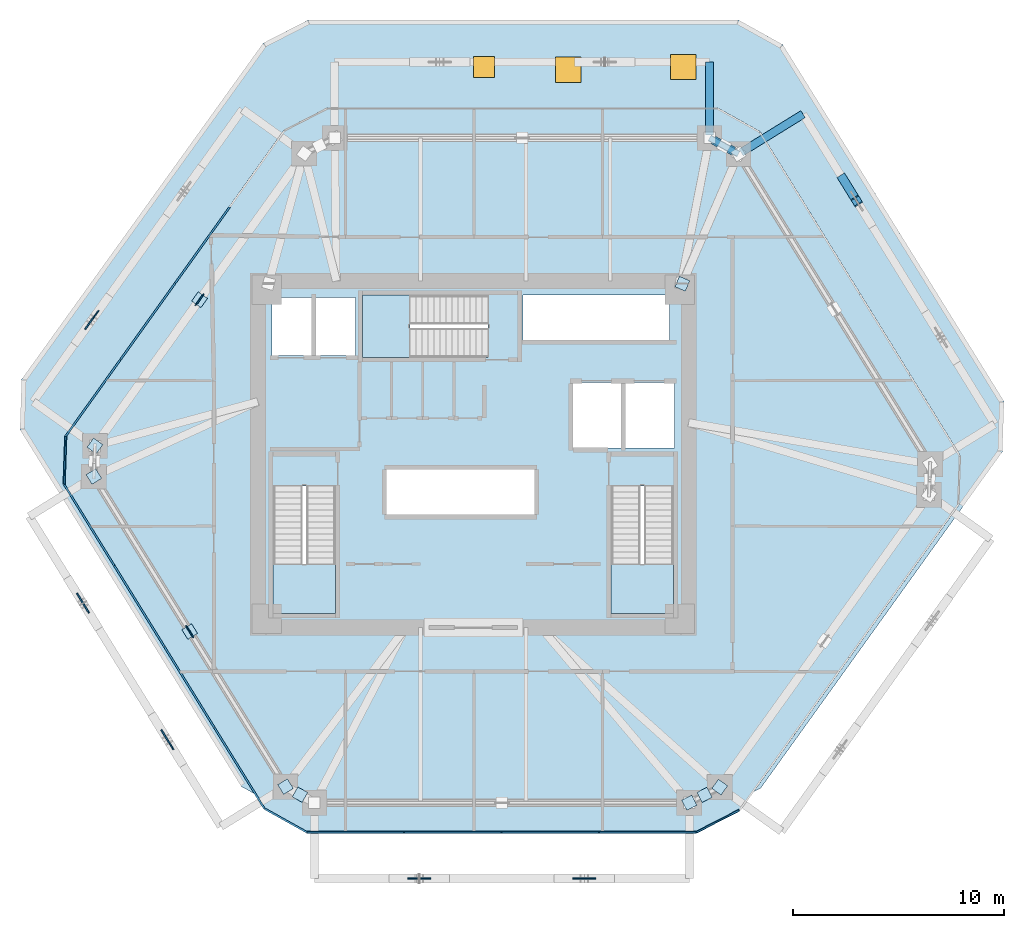
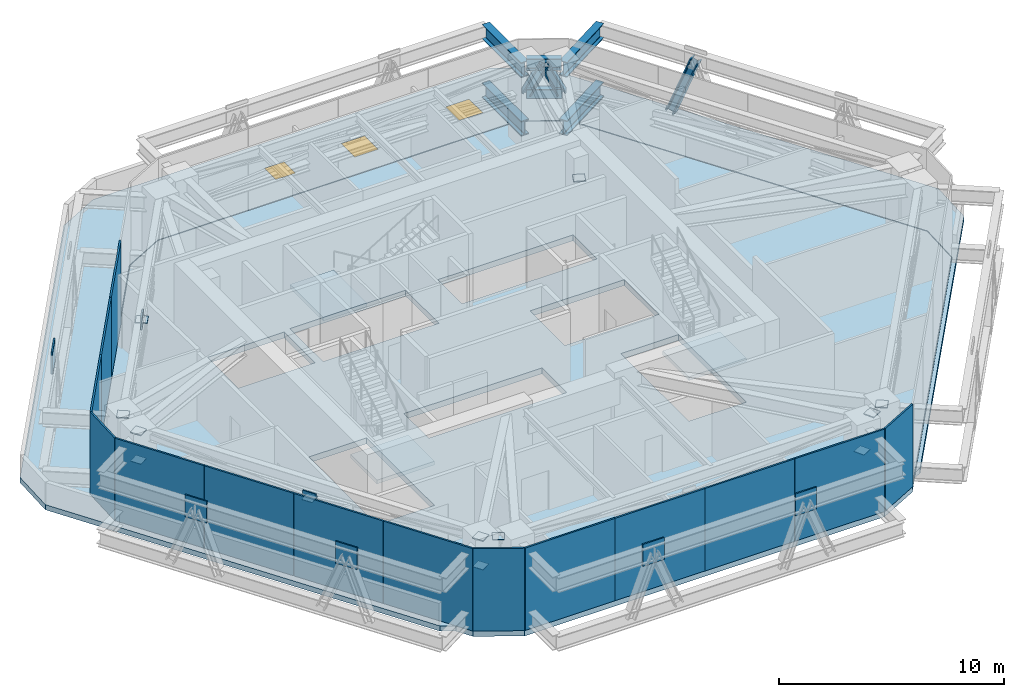
# One storey, part 4 of 11: 34 plates, 5 beams, 5 slabs, 4 members, 2 windows, 1 door, 3 openings, 3 elements without a shape of their own.
"""IFC4 building model written with IfcOpenShell, lengths in metres."""

from ifc_helpers import new_model, si_unit, direction, frame, origin, origin_2d, place, context, subcontext, project, spatial, polyline, rectangle, hollow_rectangle, i_section, outline, extrude, source, transform, mapped, material, layer, layer_set, material_profile, profile_set, type_object, type_shapes, element, fill, aggregate, save


model = new_model("IFC4")

# Units and contexts
model_context = context("Model", 3, precision=1e-05, world=origin(), true_north=direction((0.0, 1.0)))
body_context = subcontext(model_context, "Body", "Model", "MODEL_VIEW")
ifc_project = project(units=[si_unit("LENGTHUNIT", "METRE"), si_unit("AREAUNIT", "SQUARE_METRE"), si_unit("VOLUMEUNIT", "CUBIC_METRE"), si_unit("PLANEANGLEUNIT", "RADIAN"), si_unit("MASSUNIT", "GRAM", prefix="KILO")], contexts=[model_context])

# Site, building, storey
site_placement = place(None, origin())
site = spatial("IfcSite", under=ifc_project, at=site_placement, CompositionType="ELEMENT")
building_placement = place(site_placement, origin())
building = spatial("IfcBuilding", under=site, at=building_placement, Name="Durnholm Broadcast Tower", CompositionType="ELEMENT")
storey_placement = place(building_placement, frame((0.0, 0.0, 150.300048828125)))
storey = spatial("IfcBuildingStorey", under=building, at=storey_placement, Name="L41", CompositionType="ELEMENT", Elevation=150.300048828125)

# Beams
ifc_material_1 = material(Name="Steel ASTM A992 Grade 50", Category="steel")
ifc_material_profile_1 = material_profile(ifc_material_1, i_section(OverallWidth=0.385009765625, OverallDepth=0.802978515625, WebThickness=0.023681640625, FlangeThickness=0.0419921875, FilletRadius=0.032958984375, at=origin_2d()), Name="W30X261")
ifc_profile_set_1 = profile_set([ifc_material_profile_1], Name="Steel ASTM A992 Grade 50")
beam_type_1 = type_object("IfcBeamType", Name="BM-EXO-TIE", PredefinedType="USERDEFINED", material=ifc_profile_set_1)
shared_shape_1 = source(origin(), body_context, "Body", "SweptSolid", [
    extrude(i_section(OverallWidth=0.385009765625, OverallDepth=0.802978515625, WebThickness=0.023681640625, FlangeThickness=0.0419921875, FilletRadius=0.032958984375, at=origin_2d()), origin(), (0.0, 0.0, 1.0), 3.4560546875),
])
for number, where, z_axis, x_axis, name in (
    (1, (12.713134765625, 14.327880859375, 0.550048828125), (0.850662348375, 0.525712439512, 0.0), (-0.525712439512, 0.850662348375, 0.0), "L41 zone-base exoskeleton stand-off tie bracket F3.2"),
    (2, (12.713134765625, 14.327880859375, 3.728515625), (0.850662348375, 0.525712439512, 0.0), (-0.525712439512, 0.850662348375, 0.0), "L41 exoskeleton stand-off tie bracket F3.2"),
):
    element("IfcBeam", number, at=place(storey_placement, frame(where, z_axis=z_axis, x_axis=x_axis)), inside=storey, type_object=beam_type_1, Name=name, ObjectType="GIRDER", PredefinedType="USERDEFINED", context=body_context, shape_type="MappedRepresentation", body=[
        mapped(shared_shape_1, transform((0.0, 0.0, 0.0), x_axis=(1.0, 0.0, 0.0), y_axis=(0.0, 1.0, 0.0), z_axis=(0.0, 0.0, 1.0), scale=1.0)),
    ])
shared_shape_2 = source(origin(), body_context, "Body", "SweptSolid", [
    extrude(i_section(OverallWidth=0.385009765625, OverallDepth=0.802978515625, WebThickness=0.023681640625, FlangeThickness=0.0419921875, FilletRadius=0.032958984375, at=origin_2d()), origin(), (0.0, 0.0, 1.0), 3.455810546875),
])
type_shapes(beam_type_1, [shared_shape_1, shared_shape_2])
for number, where, z_axis, x_axis, name in (
    (3, (11.217529296875, 15.162109375, 0.550048828125), (0.0, 1.0, 0.0), (-1.0, 0.0, 0.0), "L41 zone-base exoskeleton stand-off tie bracket F4.1"),
    (4, (11.217529296875, 15.162109375, 3.728515625), (0.0, 1.0, 0.0), (-1.0, 0.0, 0.0), "L41 exoskeleton stand-off tie bracket F4.1"),
):
    element("IfcBeam", number, at=place(storey_placement, frame(where, z_axis=z_axis, x_axis=x_axis)), inside=storey, type_object=beam_type_1, Name=name, ObjectType="GIRDER", PredefinedType="USERDEFINED", context=body_context, shape_type="MappedRepresentation", body=[
        mapped(shared_shape_2, transform((0.0, 0.0, 0.0), x_axis=(1.0, 0.0, 0.0), y_axis=(0.0, 1.0, 0.0), z_axis=(0.0, 0.0, 1.0), scale=1.0)),
    ])
ifc_material_profile_2 = material_profile(ifc_material_1, i_section(OverallWidth=0.3251953125, OverallDepth=0.6162109375, WebThickness=0.013916015625, FlangeThickness=0.021484375, FilletRadius=0.02783203125, at=origin_2d()), Name="W24X117")
ifc_profile_set_2 = profile_set([ifc_material_profile_2], Name="Steel ASTM A992 Grade 50")
beam_type_2 = type_object("IfcBeamType", Name="STL-SP-W24X117", PredefinedType="SPANDREL", material=ifc_profile_set_2)
shared_shape_3 = source(origin(), body_context, "Body", "SweptSolid", [
    extrude(i_section(OverallWidth=0.3251953125, OverallDepth=0.6162109375, WebThickness=0.013916015625, FlangeThickness=0.021484375, FilletRadius=0.02783203125, at=origin_2d()), origin(), (0.0, 0.0, 1.0), 1.572509765625),
])
type_shapes(beam_type_2, [shared_shape_3])
beam_placement = place(storey_placement, frame((11.217529296875, 15.01806640625, 4.15673828125), z_axis=(0.873365144476, -0.487066037017, 0.0), x_axis=(0.487066037017, 0.873365144476, 0.0)))
element("IfcBeam", 5, at=beam_placement, inside=storey, type_object=beam_type_2, Name="L41 perimeter spandrel girder 06", PredefinedType="SPANDREL", context=body_context, shape_type="MappedRepresentation", body=[
    mapped(shared_shape_3, transform((0.0, 0.0, 0.0), x_axis=(1.0, 0.0, 0.0), y_axis=(0.0, 1.0, 0.0), z_axis=(0.0, 0.0, 1.0), scale=1.0)),
])

# Members
ifc_material_2 = material(Name="Steel ASTM A500 Grade C", Category="steel")
ifc_material_profile_3 = material_profile(ifc_material_2, hollow_rectangle(XDim=0.3046875, YDim=0.508056640625, WallThickness=0.014892578125, InnerFilletRadius=0.022216796875, OuterFilletRadius=0.037109375, at=origin_2d()), Name="HSS20X12X5/8")
ifc_profile_set_3 = profile_set([ifc_material_profile_3], Name="Steel ASTM A500 Grade C")
member_type_1 = type_object("IfcMemberType", Name="STL-TC-HSS20X12", PredefinedType="CHORD", material=ifc_profile_set_3)
shared_shape_4 = source(origin(), body_context, "Body", "SweptSolid", [
    extrude(hollow_rectangle(XDim=0.3046875, YDim=0.508056640625, WallThickness=0.014892578125, InnerFilletRadius=0.022216796875, OuterFilletRadius=0.037109375, at=origin_2d()), origin(), (0.0, 0.0, 1.0), 1.572509765625),
])
type_shapes(member_type_1, [shared_shape_4])
member_1_placement = place(storey_placement, frame((11.217529296875, 15.01806640625, 2.550048828125), z_axis=(0.873365144476, -0.487066037017, 0.0), x_axis=(0.487066037017, 0.873365144476, 0.0)))
element("IfcMember", 6, at=member_1_placement, inside=storey, type_object=member_type_1, Name="L41 perimeter belt-truss bottom chord 06", PredefinedType="CHORD", context=body_context, shape_type="MappedRepresentation", body=[
    mapped(shared_shape_4, transform((0.0, 0.0, 0.0), x_axis=(1.0, 0.0, 0.0), y_axis=(0.0, 1.0, 0.0), z_axis=(0.0, 0.0, 1.0), scale=1.0)),
])
ifc_material_3 = material(Name="Steel ASTM A913 Grade 65", Category="steel")
ifc_material_profile_4 = material_profile(ifc_material_3, i_section(OverallWidth=0.412109375, OverallDepth=0.434814453125, WebThickness=0.035888671875, FlangeThickness=0.057373046875, FilletRadius=0.030517578125, at=origin_2d()), Name="W14X311")
ifc_profile_set_4 = profile_set([ifc_material_profile_4], Name="Steel ASTM A913 Grade 65")
member_type_2 = type_object("IfcMemberType", Name="STL-DG-W14X311", PredefinedType="BRACE", material=ifc_profile_set_4)
shared_shape_5 = source(origin(), body_context, "Body", "SweptSolid", [
    extrude(i_section(OverallWidth=0.412109375, OverallDepth=0.434814453125, WebThickness=0.035888671875, FlangeThickness=0.057373046875, FilletRadius=0.030517578125, at=origin_2d()), origin(), (0.0, 0.0, 1.0), 1.7646484375),
])
for number, where, z_axis, x_axis, name in (
    (7, (11.217529296875, 15.01806640625, 2.550048828125), (0.389046476933, -0.217074652314, 0.895277294535), (0.487250515712, 0.873262237211, 0.0), "L41 belt-truss chevron brace 06.1"),
    (8, (12.5908203125, 14.252197265625, 2.550048828125), (-0.389175562294, 0.216931134617, 0.895255977108), (-0.486881558719, -0.873468000432, 0.0), "L41 belt-truss chevron brace 06.2"),
):
    element("IfcMember", number, at=place(storey_placement, frame(where, z_axis=z_axis, x_axis=x_axis)), inside=storey, type_object=member_type_2, Name=name, PredefinedType="BRACE", context=body_context, shape_type="MappedRepresentation", body=[
        mapped(shared_shape_5, transform((0.0, 0.0, 0.0), x_axis=(1.0, 0.0, 0.0), y_axis=(0.0, 1.0, 0.0), z_axis=(0.0, 0.0, 1.0), scale=1.0)),
    ])
shared_shape_6 = source(origin(), body_context, "Body", "SweptSolid", [
    extrude(i_section(OverallWidth=0.412109375, OverallDepth=0.434814453125, WebThickness=0.035888671875, FlangeThickness=0.057373046875, FilletRadius=0.030517578125, at=origin_2d()), origin(), (0.0, 0.0, 1.0), 3.40966796875),
])
type_shapes(member_type_2, [shared_shape_5, shared_shape_6])
member_2_placement = place(storey_placement, frame((17.551513671875, 13.072998046875, 0.550048828125), z_axis=(0.190250254234, -0.30789465307, 0.932204764724), x_axis=(0.850699125742, 0.525652924906, 0.0)))
element("IfcMember", 9, at=member_2_placement, inside=storey, type_object=member_type_2, Name="L41 stand-off diagrid brace F3.D2.2", PredefinedType="BRACE", context=body_context, shape_type="MappedRepresentation", body=[
    mapped(shared_shape_6, transform((0.0, 0.0, 0.0), x_axis=(1.0, 0.0, 0.0), y_axis=(0.0, 1.0, 0.0), z_axis=(0.0, 0.0, 1.0), scale=1.0)),
])

# Slab
ifc_material_4 = material(Name="Concrete C50/60", Category="concrete")
ifc_layer_1 = layer(ifc_material_4, 0.320068359375)
ifc_layer_set_1 = layer_set([ifc_layer_1], Name="Concrete C50/60")
slab_type_1 = type_object("IfcSlabType", Name="SLAB-FLR-320", PredefinedType="FLOOR", material=ifc_layer_set_1)
slab_1_placement = place(storey_placement, frame((0.0, 0.0, -0.320068359375)))
element("IfcSlab", 10, at=slab_1_placement, inside=storey, type_object=slab_type_1, Name="L41 structural floor slab", PredefinedType="FLOOR", context=body_context, shape_type="SweptSolid", body=[
    extrude(outline(polyline([(-9.912353515625, -16.822021484375), (-7.9033203125, -17.94189453125), (10.59521484375, -17.94189453125), (12.64111328125, -16.890625), (23.022705078125, -2.390380859375), (23.1005859375, -0.091552734375), (13.59033203125, 15.2978515625), (11.581298828125, 16.41796875), (-6.917236328125, 16.41796875), (-8.962890625, 15.36669921875), (-19.3447265625, 0.8662109375), (-19.422607421875, -1.432373046875), (-9.912353515625, -16.822021484375)]), holes=[polyline([(-6.5400390625, -1.5), (-9.5, -1.5), (-9.5, -7.550048828125), (-6.5400390625, -7.550048828125), (-6.5400390625, -1.5)]), polyline([(9.5, -7.550048828125), (9.5, -1.5), (6.5400390625, -1.5), (6.5400390625, -7.550048828125), (9.5, -7.550048828125)]), polyline([(2.949951171875, -0.699951171875), (-4.14990234375, -0.699951171875), (-4.14990234375, -2.89990234375), (2.949951171875, -2.89990234375), (2.949951171875, -0.699951171875)]), polyline([(9.550048828125, 3.39990234375), (4.699951171875, 3.39990234375), (4.699951171875, 0.300048828125), (9.550048828125, 0.300048828125), (9.550048828125, 3.39990234375)]), polyline([(-5.60009765625, 7.449951171875), (-9.550048828125, 7.449951171875), (-9.550048828125, 4.699951171875), (-5.60009765625, 4.699951171875), (-5.60009765625, 7.449951171875)]), polyline([(-5.25, 4.60009765625), (0.699951171875, 4.60009765625), (0.699951171875, 7.56005859375), (-5.25, 7.56005859375), (-5.25, 4.60009765625)]), polyline([(9.31005859375, 7.550048828125), (2.35009765625, 7.550048828125), (2.35009765625, 5.39990234375), (9.31005859375, 5.39990234375), (9.31005859375, 7.550048828125)])]), origin(), (0.0, 0.0, 1.0), 0.320068359375),
])

# Stair, slab
stair_type = type_object("IfcStairType", Name="STAIR-DL-28R1714", PredefinedType="HALF_TURN_STAIR", material=ifc_material_4)
stair_1_placement = place(storey_placement, origin())
stair_1 = element("IfcStair", 11, at=stair_1_placement, inside=storey, type_object=stair_type, Name="L41 ST-1", PredefinedType="HALF_TURN_STAIR")
ifc_layer_2 = layer(ifc_material_4, 0.199951171875)
ifc_layer_set_2 = layer_set([ifc_layer_2], Name="Concrete C50/60")
slab_type_2 = type_object("IfcSlabType", Name="SLAB-LND-200", PredefinedType="LANDING", material=ifc_layer_set_2)
slab_2_placement = place(storey_placement, frame((0.0, 0.0, 2.199951171875)))
slab_2 = element("IfcSlab", 12, at=slab_2_placement, type_object=slab_type_2, Name="ST-1 landing 1", PredefinedType="LANDING", context=body_context, shape_type="SweptSolid", body=[
    extrude(outline(polyline([(-9.5, -5.205078125), (-9.5, -7.550048828125), (-6.5400390625, -7.550048828125), (-6.5400390625, -5.205078125), (-9.5, -5.205078125)])), origin(), (0.0, 0.0, 1.0), 0.199951171875),
])
aggregate(stair_1, [slab_2])

stair_2_placement = place(storey_placement, origin())
stair_2 = element("IfcStair", 13, at=stair_2_placement, inside=storey, type_object=stair_type, Name="L41 ST-2", PredefinedType="HALF_TURN_STAIR")
slab_3_placement = place(storey_placement, frame((0.0, 0.0, 2.199951171875)))
slab_3 = element("IfcSlab", 14, at=slab_3_placement, type_object=slab_type_2, Name="ST-2 landing 1", PredefinedType="LANDING", context=body_context, shape_type="SweptSolid", body=[
    extrude(outline(polyline([(6.5400390625, -5.205078125), (6.5400390625, -7.550048828125), (9.5, -7.550048828125), (9.5, -5.205078125), (6.5400390625, -5.205078125)])), origin(), (0.0, 0.0, 1.0), 0.199951171875),
])
aggregate(stair_2, [slab_3])

stair_3_placement = place(storey_placement, origin())
stair_3 = element("IfcStair", 15, at=stair_3_placement, inside=storey, type_object=stair_type, Name="L41 ST-3", PredefinedType="HALF_TURN_STAIR")
slab_4_placement = place(storey_placement, frame((0.0, 0.0, 2.199951171875)))
slab_4 = element("IfcSlab", 16, at=slab_4_placement, type_object=slab_type_2, Name="ST-3 landing 1", PredefinedType="LANDING", context=body_context, shape_type="SweptSolid", body=[
    extrude(outline(polyline([(-3.0048828125, 7.56005859375), (-5.25, 7.56005859375), (-5.25, 4.60009765625), (-3.0048828125, 4.60009765625), (-3.0048828125, 7.56005859375)])), origin(), (0.0, 0.0, 1.0), 0.199951171875),
])
aggregate(stair_3, [slab_4])

# Slab, openings, door, windows
ifc_layer_3 = layer(ifc_material_4, 0.280029296875)
ifc_layer_set_3 = layer_set([ifc_layer_3], Name="Concrete C50/60")
slab_type_3 = type_object("IfcSlabType", Name="SLAB-ROOF-280", PredefinedType="ROOF", material=ifc_layer_set_3)
slab_5_placement = place(storey_placement, frame((0.0, 0.0, -0.280029296875)))
slab_5 = element("IfcSlab", 17, at=slab_5_placement, inside=storey, type_object=slab_type_3, Name="L41 setback roof slab 1", PredefinedType="ROOF", context=body_context, shape_type="SweptSolid", body=[
    extrude(outline(polyline([(-11.012451171875, -15.77001953125), (-10.380126953125, -16.121826171875), (-19.4482421875, -1.4482421875), (-19.44970703125, -1.445556640625), (-19.45068359375, -1.44287109375), (-19.45166015625, -1.440185546875), (-19.452392578125, -1.437255859375), (-19.45263671875, -1.434326171875), (-19.45263671875, -1.431396484375), (-19.374755859375, 0.8671875), (-19.37451171875, 0.8701171875), (-19.373779296875, 0.873046875), (-19.373046875, 0.8759765625), (-19.3720703125, 0.878662109375), (-19.37060546875, 0.88134765625), (-19.369140625, 0.8837890625), (-8.9873046875, 15.38427734375), (-8.985595703125, 15.386474609375), (-8.983642578125, 15.388427734375), (-8.9814453125, 15.390380859375), (-8.979248046875, 15.39208984375), (-8.976806640625, 15.393310546875), (-6.930908203125, 16.444580078125), (-6.928466796875, 16.44580078125), (-6.92578125, 16.44677734375), (-6.923095703125, 16.447509765625), (-6.920166015625, 16.447998046875), (-6.917236328125, 16.447998046875), (11.581298828125, 16.447998046875), (11.58447265625, 16.44775390625), (11.58740234375, 16.447509765625), (11.59033203125, 16.446533203125), (11.59326171875, 16.445556640625), (11.595947265625, 16.444091796875), (13.60498046875, 15.32421875), (13.607421875, 15.322509765625), (13.60986328125, 15.320556640625), (13.612060546875, 15.318603515625), (13.614013671875, 15.316162109375), (13.61572265625, 15.313720703125), (23.126220703125, -0.07568359375), (23.127685546875, -0.078369140625), (23.12890625, -0.0810546875), (23.129638671875, -0.083984375), (23.13037109375, -0.0869140625), (23.130615234375, -0.089599609375), (23.130615234375, -0.092529296875), (23.052734375, -2.391357421875), (23.052490234375, -2.394287109375), (23.052001953125, -2.397216796875), (23.051025390625, -2.39990234375), (23.050048828125, -2.402587890625), (23.048583984375, -2.4052734375), (23.047119140625, -2.40771484375), (13.30078125, -16.0205078125), (13.649658203125, -15.841796875), (25.11279296875, 0.114990234375), (25.1943359375, 2.513671875), (14.6904296875, 19.447998046875), (12.59326171875, 20.614990234375), (-7.836181640625, 20.614990234375), (-9.9716796875, 19.519775390625), (-21.434814453125, 3.56298828125), (-21.516357421875, 1.164306640625), (-11.012451171875, -15.77001953125)])), origin(), (0.0, 0.0, 1.0), 0.280029296875),
])
opening_1_placement = place(slab_5_placement, frame((9.966064453125, 18.385009765625, -0.010009765625)))
opening_1 = element("IfcOpeningElement", 18, at=opening_1_placement, cuts=slab_5, Name="Opening SK1", PredefinedType="OPENING", context=body_context, shape_type="SweptSolid", body=[
    extrude(rectangle(XDim=1.199951171875, YDim=1.199951171875, at=origin_2d()), origin(), (0.0, 0.0, 1.0), 0.300048828125),
])
opening_2_placement = place(slab_5_placement, frame((4.510986328125, 18.2509765625, -0.010009765625)))
opening_2 = element("IfcOpeningElement", 19, at=opening_2_placement, cuts=slab_5, Name="Opening SK2", PredefinedType="OPENING", context=body_context, shape_type="SweptSolid", body=[
    extrude(rectangle(XDim=1.199951171875, YDim=1.199951171875, at=origin_2d()), origin(), (0.0, 0.0, 1.0), 0.300048828125),
])
opening_3_placement = place(slab_5_placement, frame((0.5, 18.39111328125, -0.010009765625)))
opening_3 = element("IfcOpeningElement", 20, at=opening_3_placement, cuts=slab_5, Name="Opening DT-RF", PredefinedType="OPENING", context=body_context, shape_type="SweptSolid", body=[
    extrude(rectangle(XDim=1.0, YDim=1.0, at=origin_2d()), origin(), (0.0, 0.0, 1.0), 0.300048828125),
])
ifc_material_5 = material(Name="Anodised Aluminium and Laminated Safety Glass", Category="aluminium")
ifc_layer_4 = layer(ifc_material_5, 0.050048828125)
ifc_layer_set_4 = layer_set([ifc_layer_4], Name="Anodised Aluminium and Laminated Safety Glass")
door_type = type_object("IfcDoorType", Name="DOOR-TRAP-RF", OperationType="SINGLE_SWING_LEFT", PredefinedType="TRAPDOOR", material=ifc_layer_set_4)
door_placement = place(opening_3_placement, frame((0.0, 0.0, 0.239990234375)))
door = element("IfcDoor", 21, at=door_placement, inside=storey, type_object=door_type, Name="L41 setback roof maintenance access hatch 3", OperationType="SINGLE_SWING_LEFT", OverallHeight=1.0, OverallWidth=1.0, PredefinedType="TRAPDOOR", context=body_context, shape_type="SweptSolid", body=[
    extrude(rectangle(XDim=1.0, YDim=1.0, at=origin_2d()), origin(), (0.0, 0.0, 1.0), 0.050048828125),
])
fill(opening_3, door)
ifc_material_6 = material(Name="Thermally Broken Aluminium and Laminated Glass", Category="aluminium")
ifc_layer_5 = layer(ifc_material_6, 0.06005859375)
ifc_layer_set_5 = layer_set([ifc_layer_5], Name="Thermally Broken Aluminium and Laminated Glass")
window_type_1 = type_object("IfcWindowType", Name="WIN-SK1", PartitioningType="SINGLE_PANEL", PredefinedType="SKYLIGHT", material=ifc_layer_set_5)
window_1_placement = place(opening_1_placement, frame((0.0, 0.0, 0.239990234375)))
window_1 = element("IfcWindow", 22, at=window_1_placement, inside=storey, type_object=window_type_1, Name="L41 setback roof daylight skylight 1", OverallHeight=1.199951171875, OverallWidth=1.199951171875, PartitioningType="SINGLE_PANEL", PredefinedType="SKYLIGHT", context=body_context, shape_type="SweptSolid", body=[
    extrude(rectangle(XDim=1.199951171875, YDim=1.199951171875, at=origin_2d()), origin(), (0.0, 0.0, 1.0), 0.050048828125),
])
fill(opening_1, window_1)
ifc_layer_6 = layer(ifc_material_6, 0.06005859375)
ifc_layer_set_6 = layer_set([ifc_layer_6], Name="Thermally Broken Aluminium and Laminated Glass")
window_type_2 = type_object("IfcWindowType", Name="WIN-SK2", PartitioningType="SINGLE_PANEL", PredefinedType="SKYLIGHT", material=ifc_layer_set_6)
window_2_placement = place(opening_2_placement, frame((0.0, 0.0, 0.239990234375)))
window_2 = element("IfcWindow", 23, at=window_2_placement, inside=storey, type_object=window_type_2, Name="L41 setback roof daylight skylight 2", OverallHeight=1.199951171875, OverallWidth=1.199951171875, PartitioningType="SINGLE_PANEL", PredefinedType="SKYLIGHT", context=body_context, shape_type="SweptSolid", body=[
    extrude(rectangle(XDim=1.199951171875, YDim=1.199951171875, at=origin_2d()), origin(), (0.0, 0.0, 1.0), 0.050048828125),
])
fill(opening_2, window_2)

# Plates
ifc_material_7 = material(Name="Steel ASTM A572 Grade 50", Category="steel")
ifc_layer_7 = layer(ifc_material_7, 0.0400390625)
ifc_layer_set_7 = layer_set([ifc_layer_7], Name="Steel ASTM A572 Grade 50")
plate_type_1 = type_object("IfcPlateType", Name="PLT-KN-CAP", PredefinedType="USERDEFINED", material=ifc_layer_set_7)
shared_shape_7 = source(origin(), body_context, "Body", "SweptSolid", [
    extrude(rectangle(XDim=0.5400390625, YDim=0.5400390625, at=origin_2d()), origin(), (0.0, 0.0, 1.0), 0.0400390625),
])
type_shapes(plate_type_1, [shared_shape_7])
for number, where, z_axis, x_axis, name in (
    (24, (-8.91259765625, -15.7763671875, 2.530029296875), (0.0, 0.0, 1.0), (-0.525768608156, 0.850627633385, 0.0), "L41 hollow section end cap plate BT-CH-L41-01 1"),
    (25, (-18.009033203125, -1.056640625, 2.530029296875), (0.0, 0.0, 1.0), (-0.525768608156, 0.850627633385, 0.0), "L41 hollow section end cap plate BT-CH-L41-01 2"),
    (26, (-18.009033203125, -1.056640625, 4.10986328125), (0.0, 0.0, 1.0), (-0.525768608156, 0.850627633385, 0.0), "L41 hollow section end cap plate BT-XCONT-L41-01 2"),
    (27, (-13.4609375, -8.41650390625, 3.31982421875), (0.0, 0.0, 1.0), (0.525768608156, -0.850627633385, 0.0), "L41 hollow section end cap plate BT-XSPLIT-L41-01-1 2"),
    (28, (-8.91259765625, -15.7763671875, 4.10986328125), (0.0, 0.0, 1.0), (0.525768608156, -0.850627633385, 0.0), "L41 hollow section end cap plate BT-XSPLIT-L41-01-2 2"),
    (29, (-12.990966796875, 7.3359375, 3.31982421875), (0.0, 0.0, 1.0), (-0.582122970157, -0.813100761047, 0.0), "L41 hollow section end cap plate BT-XSPLIT-L41-03-1 2"),
    (30, (-17.9599609375, 0.3955078125, 4.10986328125), (0.0, 0.0, 1.0), (-0.582122970157, -0.813100761047, 0.0), "L41 hollow section end cap plate BT-XSPLIT-L41-03-2 2"),
    (31, (11.69970703125, -15.80029296875, 2.530029296875), (0.0, 0.0, 1.0), (-0.582122970157, -0.813100761047, 0.0), "L41 hollow section end cap plate BT-CH-L41-09 2"),
    (32, (11.69970703125, -15.80029296875, 4.10986328125), (0.0, 0.0, 1.0), (-0.582122970157, -0.813100761047, 0.0), "L41 hollow section end cap plate BT-XCONT-L41-09 2"),
    (33, (10.256591796875, -16.5419921875, 2.530029296875), (0.0, 0.0, 1.0), (-0.889416373291, -0.457097927059, 0.0), "L41 hollow section end cap plate BT-CH-L41-10 2"),
    (34, (10.978271484375, -16.171142578125, 4.10986328125), (0.0, 0.0, 1.0), (-0.889416373291, -0.457097927059, 0.0), "L41 hollow section end cap plate BT-BR-L41-10-1 2"),
    (35, (-8.22607421875, -16.1591796875, 4.10986328125), (0.0, 0.0, 1.0), (-0.873432483984, 0.486945269945, 0.0), "L41 hollow section end cap plate BT-BR-L41-12-1 2"),
    (36, (9.927001953125, 8.09375, 2.530029296875), (0.0, 0.0, 1.0), (0.396987706187, 0.917823927089, 0.0), "L41 hollow section end cap plate OUT-STR-L41-07 1"),
):
    element("IfcPlate", number, at=place(storey_placement, frame(where, z_axis=z_axis, x_axis=x_axis)), inside=storey, type_object=plate_type_1, Name=name, ObjectType="CAP_PLATE", PredefinedType="USERDEFINED", context=body_context, shape_type="MappedRepresentation", body=[
        mapped(shared_shape_7, transform((0.0, 0.0, 0.0), x_axis=(1.0, 0.0, 0.0), y_axis=(0.0, 1.0, 0.0), z_axis=(0.0, 0.0, 1.0), scale=1.0)),
    ])
ifc_material_8 = material(Name="ASTM A572 Grade 50 Steel", Category="steel")
ifc_layer_8 = layer(ifc_material_8, 0.06005859375)
ifc_layer_set_8 = layer_set([ifc_layer_8], Name="ASTM A572 Grade 50 Steel")
plate_type_2 = type_object("IfcPlateType", Name="PLT-KN-X1", PredefinedType="USERDEFINED", material=ifc_layer_set_8)
shared_shape_8 = source(origin(), body_context, "Body", "SweptSolid", [
    extrude(rectangle(XDim=0.679931640625, YDim=0.06005859375, at=origin_2d()), origin(), (0.0, 0.0, 1.0), 0.679931640625),
])
type_shapes(plate_type_2, [shared_shape_8])
for number, where, z_axis, x_axis, name in (
    (37, (-13.4609375, -8.41650390625, 3.0), (0.0, 0.0, 1.0), (-0.525768608156, 0.850627633385, 0.0), "L41 belt-truss X-brace crossing gusset plate 01"),
    (38, (-12.990966796875, 7.3359375, 3.0), (0.0, 0.0, 1.0), (0.582122970157, 0.813100761047, 0.0), "L41 belt-truss X-brace crossing gusset plate 03"),
):
    element("IfcPlate", number, at=place(storey_placement, frame(where, z_axis=z_axis, x_axis=x_axis)), inside=storey, type_object=plate_type_2, Name=name, ObjectType="GUSSET_PLATE", PredefinedType="USERDEFINED", context=body_context, shape_type="MappedRepresentation", body=[
        mapped(shared_shape_8, transform((0.0, 0.0, 0.0), x_axis=(1.0, 0.0, 0.0), y_axis=(0.0, 1.0, 0.0), z_axis=(0.0, 0.0, 1.0), scale=1.0)),
    ])
ifc_layer_9 = layer(ifc_material_7, 0.070068359375)
ifc_layer_set_9 = layer_set([ifc_layer_9], Name="Steel ASTM A572 Grade 50")
plate_type_3 = type_object("IfcPlateType", Name="PLT-KN09-GUS", PredefinedType="USERDEFINED", material=ifc_layer_set_9)
shared_shape_9 = source(origin(), body_context, "Body", "SweptSolid", [
    extrude(rectangle(XDim=1.10009765625, YDim=0.070068359375, at=origin_2d()), origin(), (0.0, 0.0, 1.0), 1.199951171875),
])
type_shapes(plate_type_3, [shared_shape_9])
for number, where, z_axis, x_axis, name in (
    (39, (-2.556640625, -20.14208984375, 3.12841796875), (0.0, 0.0, 1.0), (1.0, 0.0, 0.0), "L41 welded diagrid node gusset plate KN09 F1"),
    (40, (5.273681640625, -20.14208984375, 3.12841796875), (0.0, 0.0, 1.0), (1.0, 0.0, 0.0), "L41 welded diagrid node gusset plate KN09 F1"),
    (41, (-18.1044921875, 6.3779296875, 3.12841796875), (0.0, 0.0, 1.0), (-0.582122970157, -0.813100761047, 0.0), "L41 welded diagrid node gusset plate KN09 F5"),
    (42, (-18.5244140625, -7.07080078125, 3.12841796875), (0.0, 0.0, 1.0), (0.525768608156, -0.850627633385, 0.0), "L41 welded diagrid node gusset plate KN09 F6"),
    (43, (-14.522216796875, -13.54736328125, 3.12841796875), (0.0, 0.0, 1.0), (0.525768608156, -0.850627633385, 0.0), "L41 welded diagrid node gusset plate KN09 F6"),
):
    element("IfcPlate", number, at=place(storey_placement, frame(where, z_axis=z_axis, x_axis=x_axis)), inside=storey, type_object=plate_type_3, Name=name, ObjectType="GUSSET_PLATE", PredefinedType="USERDEFINED", context=body_context, shape_type="MappedRepresentation", body=[
        mapped(shared_shape_9, transform((0.0, 0.0, 0.0), x_axis=(1.0, 0.0, 0.0), y_axis=(0.0, 1.0, 0.0), z_axis=(0.0, 0.0, 1.0), scale=1.0)),
    ])
ifc_material_9 = material(Name="Anodised Architectural Aluminium Louvre Screen", Category="aluminium")
ifc_layer_10 = layer(ifc_material_9, 0.0849609375)
ifc_layer_set_10 = layer_set([ifc_layer_10], Name="Anodised Architectural Aluminium Louvre Screen")
plate_type_4 = type_object("IfcPlateType", Name="PLT-CROWN-SCR", PredefinedType="USERDEFINED", material=ifc_layer_set_10)
shared_shape_10 = source(origin(), body_context, "Body", "SweptSolid", [
    extrude(rectangle(XDim=2.280029296875, YDim=0.0849609375, at=origin_2d()), origin(), (0.0, 0.0, 1.0), 4.47998046875),
])
for number, where, z_axis, x_axis, name in (
    (44, (-19.3837890625, -0.283203125, 0.0), (0.0, 0.0, 1.0), (0.033852918131, 0.999426825703, 0.0), "L41 mechanical louvre screen panel SCR-L41-F01.1"),
    (45, (11.6181640625, -17.41650390625, 0.0), (0.0, 0.0, 1.0), (-0.889416373291, -0.457097927059, 0.0), "L41 mechanical louvre screen panel SCR-L41-F09.1"),
    (46, (-8.90771484375, -17.3818359375, 0.0), (0.0, 0.0, 1.0), (-0.873432483984, 0.486945269945, 0.0), "L41 mechanical louvre screen panel SCR-L41-F11.1"),
):
    element("IfcPlate", number, at=place(storey_placement, frame(where, z_axis=z_axis, x_axis=x_axis)), inside=storey, type_object=plate_type_4, Name=name, ObjectType="SCREEN", PredefinedType="USERDEFINED", context=body_context, shape_type="MappedRepresentation", body=[
        mapped(shared_shape_10, transform((0.0, 0.0, 0.0), x_axis=(1.0, 0.0, 0.0), y_axis=(0.0, 1.0, 0.0), z_axis=(0.0, 0.0, 1.0), scale=1.0)),
    ])
shared_shape_11 = source(origin(), body_context, "Body", "SweptSolid", [
    extrude(rectangle(XDim=4.4384765625, YDim=0.0849609375, at=origin_2d()), origin(), (0.0, 0.0, 1.0), 4.47998046875),
])
for number, where, z_axis, x_axis, name in (
    (47, (-18.047119140625, 2.6787109375, 0.0), (0.0, 0.0, 1.0), (0.582122970157, 0.813100761047, 0.0), "L41 mechanical louvre screen panel SCR-L41-F02.1"),
    (48, (-15.45166015625, 6.303955078125, 0.0), (0.0, 0.0, 1.0), (0.582122970157, 0.813100761047, 0.0), "L41 mechanical louvre screen panel SCR-L41-F02.2"),
    (49, (-12.856201171875, 9.928955078125, 0.0), (0.0, 0.0, 1.0), (0.582122970157, 0.813100761047, 0.0), "L41 mechanical louvre screen panel SCR-L41-F02.3"),
):
    element("IfcPlate", number, at=place(storey_placement, frame(where, z_axis=z_axis, x_axis=x_axis)), inside=storey, type_object=plate_type_4, Name=name, ObjectType="SCREEN", PredefinedType="USERDEFINED", context=body_context, shape_type="MappedRepresentation", body=[
        mapped(shared_shape_11, transform((0.0, 0.0, 0.0), x_axis=(1.0, 0.0, 0.0), y_axis=(0.0, 1.0, 0.0), z_axis=(0.0, 0.0, 1.0), scale=1.0)),
    ])
shared_shape_12 = source(origin(), body_context, "Body", "SweptSolid", [
    extrude(rectangle(XDim=4.604736328125, YDim=0.0849609375, at=origin_2d()), origin(), (0.0, 0.0, 1.0), 4.47998046875),
])
for number, where, z_axis, x_axis, name in (
    (50, (8.282958984375, -17.94189453125, 0.0), (0.0, 0.0, 1.0), (-1.0, 0.0, 0.0), "L41 mechanical louvre screen panel SCR-L41-F10.1"),
    (51, (3.658203125, -17.94189453125, 0.0), (0.0, 0.0, 1.0), (-1.0, 0.0, 0.0), "L41 mechanical louvre screen panel SCR-L41-F10.2"),
    (52, (-0.96630859375, -17.94189453125, 0.0), (0.0, 0.0, 1.0), (-1.0, 0.0, 0.0), "L41 mechanical louvre screen panel SCR-L41-F10.3"),
    (53, (-5.591064453125, -17.94189453125, 0.0), (0.0, 0.0, 1.0), (-1.0, 0.0, 0.0), "L41 mechanical louvre screen panel SCR-L41-F10.4"),
):
    element("IfcPlate", number, at=place(storey_placement, frame(where, z_axis=z_axis, x_axis=x_axis)), inside=storey, type_object=plate_type_4, Name=name, ObjectType="SCREEN", PredefinedType="USERDEFINED", context=body_context, shape_type="MappedRepresentation", body=[
        mapped(shared_shape_12, transform((0.0, 0.0, 0.0), x_axis=(1.0, 0.0, 0.0), y_axis=(0.0, 1.0, 0.0), z_axis=(0.0, 0.0, 1.0), scale=1.0)),
    ])
shared_shape_13 = source(origin(), body_context, "Body", "SweptSolid", [
    extrude(rectangle(XDim=4.502685546875, YDim=0.0849609375, at=origin_2d()), origin(), (0.0, 0.0, 1.0), 4.47998046875),
])
type_shapes(plate_type_4, [shared_shape_10, shared_shape_11, shared_shape_12, shared_shape_13])
for number, where, z_axis, x_axis, name in (
    (54, (-11.10107421875, -14.898193359375, 0.0), (0.0, 0.0, 1.0), (-0.525768608156, 0.850627633385, 0.0), "L41 mechanical louvre screen panel SCR-L41-F12.1"),
    (55, (-13.478759765625, -11.05078125, 0.0), (0.0, 0.0, 1.0), (-0.525768608156, 0.850627633385, 0.0), "L41 mechanical louvre screen panel SCR-L41-F12.2"),
    (56, (-15.856201171875, -7.20361328125, 0.0), (0.0, 0.0, 1.0), (-0.525768608156, 0.850627633385, 0.0), "L41 mechanical louvre screen panel SCR-L41-F12.3"),
    (57, (-18.23388671875, -3.356201171875, 0.0), (0.0, 0.0, 1.0), (-0.525768608156, 0.850627633385, 0.0), "L41 mechanical louvre screen panel SCR-L41-F12.4"),
):
    element("IfcPlate", number, at=place(storey_placement, frame(where, z_axis=z_axis, x_axis=x_axis)), inside=storey, type_object=plate_type_4, Name=name, ObjectType="SCREEN", PredefinedType="USERDEFINED", context=body_context, shape_type="MappedRepresentation", body=[
        mapped(shared_shape_13, transform((0.0, 0.0, 0.0), x_axis=(1.0, 0.0, 0.0), y_axis=(0.0, 1.0, 0.0), z_axis=(0.0, 0.0, 1.0), scale=1.0)),
    ])

save(model, "model.ifc")
